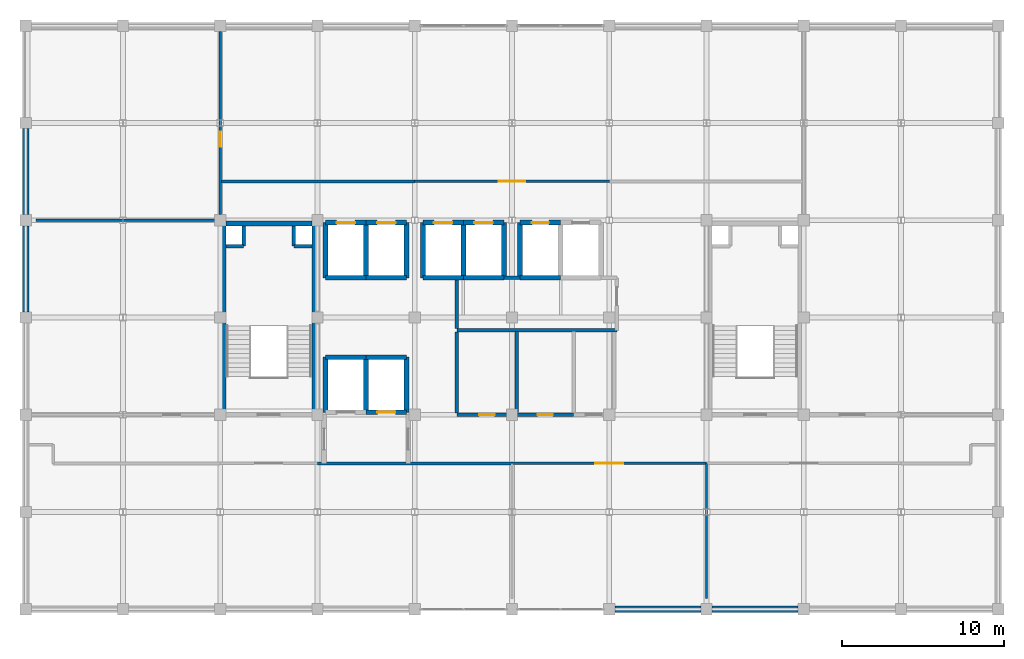
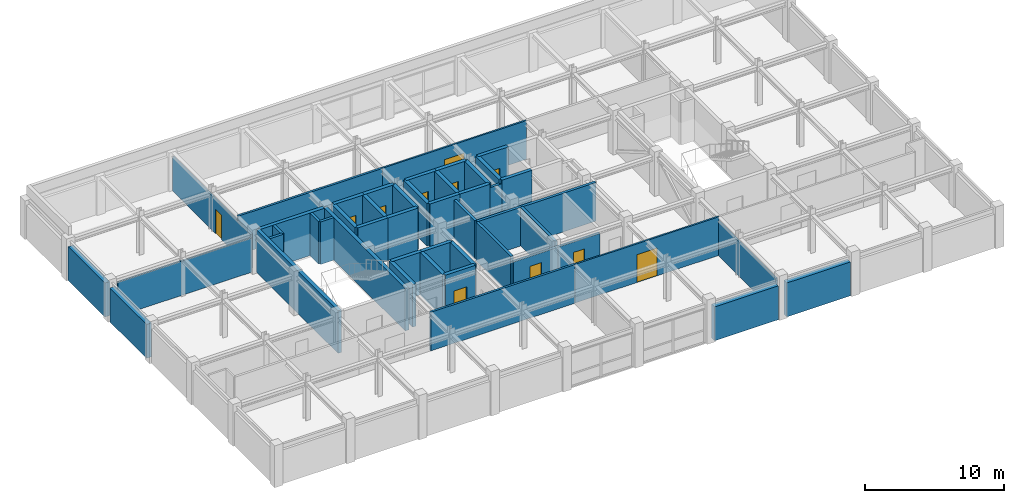
# One storey, part 10 of 12: 48 walls, 11 doors, 11 openings.
"""IFC4 building model written with IfcOpenShell, lengths in metres."""

from ifc_helpers import new_model, si_unit, direction, frame, frame_2d, origin, place, context, subcontext, project, spatial, rectangle, extrude, material, layer, layer_set, type_object, element, fill, save


model = new_model("IFC4")

# Units and contexts
model_context = context("Model", 3, precision=1e-05, world=origin(), true_north=direction((0.0, 1.0)))
body_context = subcontext(model_context, "Body", "Model", "MODEL_VIEW")
ifc_project = project(units=[si_unit("LENGTHUNIT", "METRE"), si_unit("AREAUNIT", "SQUARE_METRE"), si_unit("VOLUMEUNIT", "CUBIC_METRE"), si_unit("PLANEANGLEUNIT", "RADIAN"), si_unit("MASSUNIT", "GRAM", prefix="KILO")], contexts=[model_context])

# Site, building, storey
site_placement = place(None, origin())
site = spatial("IfcSite", under=ifc_project, at=site_placement, CompositionType="ELEMENT")
building_placement = place(site_placement, origin())
building = spatial("IfcBuilding", under=site, at=building_placement, Name="Zlatovratsky Civic Hall", CompositionType="ELEMENT")
storey_placement = place(building_placement, frame((0.0, 0.0, 32.699951171875)))
storey = spatial("IfcBuildingStorey", under=building, at=storey_placement, Name="L08", CompositionType="ELEMENT", Elevation=32.699951171875)

# Walls
ifc_material_1 = material(Name="Acoustic ceramic blockwork", Category="masonry")
ifc_layer_1 = layer(ifc_material_1, 0.179931640625)
ifc_layer_set_1 = layer_set([ifc_layer_1], Name="Acoustic ceramic blockwork")
wall_type_1 = type_object("IfcWallType", Name="Wall_AcousticChamberPartition_180", PredefinedType="PARTITIONING", material=ifc_layer_set_1)
for number, where, z_axis, x_axis, name in (
    (1, (72.0, 81.0, 0.0), (0.0, 0.0, 1.0), (1.0, 0.0, 0.0), "WL-6426"),
    (2, (66.0, 98.39990234375, 0.0), (0.0, 0.0, 1.0), (1.0, 0.0, 0.0), "WL-6432"),
):
    element("IfcWall", number, at=place(storey_placement, frame(where, z_axis=z_axis, x_axis=x_axis)), inside=storey, type_object=wall_type_1, Name=name, PredefinedType="PARTITIONING", context=body_context, shape_type="SweptSolid", body=[
        extrude(rectangle(XDim=12.0, YDim=0.179931640625, at=frame_2d((6.0, 0.0))), origin(), (0.0, 0.0, 1.0), 3.400146484375),
    ])

# Wall, opening, door
ifc_material_2 = material(Name="Fire-rated gypsum board framing", Category="gypsum")
ifc_layer_2 = layer(ifc_material_2, 0.139892578125)
ifc_layer_set_2 = layer_set([ifc_layer_2], Name="Fire-rated gypsum board framing")
wall_type_2 = type_object("IfcWallType", Name="Wall_OfficePartition_140", PredefinedType="PARTITIONING", material=ifc_layer_set_2)
wall_1_placement = place(storey_placement, frame((66.0, 96.35009765625, 0.0), z_axis=(0.0, 0.0, 1.0), x_axis=(0.0, 1.0, 0.0)))
wall_1 = element("IfcWall", 3, at=wall_1_placement, inside=storey, type_object=wall_type_2, Name="WL-6410", PredefinedType="PARTITIONING", context=body_context, shape_type="SweptSolid", body=[
    extrude(rectangle(XDim=11.2998046875, YDim=0.139892578125, at=frame_2d((5.64990234375, 0.0))), origin(), (0.0, 0.0, 1.0), 3.011962890625),
])
opening_1_placement = place(wall_1_placement, frame((4.18994140625, 0.0, 0.0)))
opening_1 = element("IfcOpeningElement", 4, at=opening_1_placement, cuts=wall_1, Name="Opening D-23", PredefinedType="OPENING", context=body_context, shape_type="SweptSolid", body=[
    extrude(rectangle(XDim=0.919921875, YDim=2.14990234375, at=frame_2d((0.4599609375, 1.074951171875))), frame((0.0, 0.0849609375, 0.0), z_axis=(0.0, -1.0, 0.0), x_axis=(1.0, 0.0, 0.0)), (0.0, 0.0, 1.0), 0.169677734375),
])
ifc_material_3 = material(Name="Solid oak joinery in steel frame", Category="steel")
door_type_1 = type_object("IfcDoorType", Name="Door_OfficeStandard_920x2150", OperationType="NOTDEFINED", PredefinedType="DOOR", material=ifc_material_3)
door_1_placement = place(opening_1_placement, origin())
door_1 = element("IfcDoor", 5, at=door_1_placement, inside=storey, type_object=door_type_1, Name="DR-5407", OperationType="SINGLE_SWING_LEFT", OverallHeight=2.14990234375, OverallWidth=0.919921875, PredefinedType="DOOR", context=body_context, shape_type="SweptSolid", body=[
    extrude(rectangle(XDim=0.919921875, YDim=2.14990234375, at=frame_2d((0.4599609375, 1.074951171875))), frame((0.0, 0.02490234375, 0.0), z_axis=(0.0, -1.0, 0.0), x_axis=(1.0, 0.0, 0.0)), (0.0, 0.0, 1.0), 0.050048828125),
])
fill(opening_1, door_1)

wall_2_placement = place(storey_placement, frame((84.0, 81.0, 0.0), z_axis=(0.0, 0.0, 1.0), x_axis=(1.0, 0.0, 0.0)))
wall_2 = element("IfcWall", 6, at=wall_2_placement, inside=storey, type_object=wall_type_2, Name="WL-6412", PredefinedType="PARTITIONING", context=body_context, shape_type="SweptSolid", body=[
    extrude(rectangle(XDim=12.0, YDim=0.139892578125, at=frame_2d((6.0, 0.0))), origin(), (0.0, 0.0, 1.0), 3.400146484375),
])
opening_2_placement = place(wall_2_placement, frame((5.14990234375, 0.0, 0.0)))
opening_2 = element("IfcOpeningElement", 7, at=opening_2_placement, cuts=wall_2, Name="Opening D-26", PredefinedType="OPENING", context=body_context, shape_type="SweptSolid", body=[
    extrude(rectangle(XDim=1.699951171875, YDim=2.449951171875, at=frame_2d((0.85009765625, 1.22509765625))), frame((0.0, 0.0849609375, 0.0), z_axis=(0.0, -1.0, 0.0), x_axis=(1.0, 0.0, 0.0)), (0.0, 0.0, 1.0), 0.169677734375),
])
door_type_2 = type_object("IfcDoorType", Name="Door_CommissionBoardroom_1700x2450", OperationType="DOUBLE_DOOR_SINGLE_SWING", PredefinedType="DOOR", material=ifc_material_3)
door_2_placement = place(opening_2_placement, origin())
door_2 = element("IfcDoor", 8, at=door_2_placement, inside=storey, type_object=door_type_2, Name="DR-5409", OperationType="DOUBLE_DOOR_SINGLE_SWING", OverallHeight=2.449951171875, OverallWidth=1.699951171875, PredefinedType="DOOR", context=body_context, shape_type="SweptSolid", body=[
    extrude(rectangle(XDim=1.699951171875, YDim=2.449951171875, at=frame_2d((0.85009765625, 1.22509765625))), frame((0.0, 0.02490234375, 0.0), z_axis=(0.0, -1.0, 0.0), x_axis=(1.0, 0.0, 0.0)), (0.0, 0.0, 1.0), 0.050048828125),
])
fill(opening_2, door_2)

wall_3_placement = place(storey_placement, frame((78.0, 98.39990234375, 0.0), z_axis=(0.0, 0.0, 1.0), x_axis=(1.0, 0.0, 0.0)))
wall_3 = element("IfcWall", 9, at=wall_3_placement, inside=storey, type_object=wall_type_2, Name="WL-6415", PredefinedType="PARTITIONING", context=body_context, shape_type="SweptSolid", body=[
    extrude(rectangle(XDim=12.0, YDim=0.139892578125, at=frame_2d((6.0, 0.0))), origin(), (0.0, 0.0, 1.0), 3.400146484375),
])
opening_3_placement = place(wall_3_placement, frame((5.175048828125, 0.0, 0.0)))
opening_3 = element("IfcOpeningElement", 10, at=opening_3_placement, cuts=wall_3, Name="Opening D-25", PredefinedType="OPENING", context=body_context, shape_type="SweptSolid", body=[
    extrude(rectangle(XDim=1.64990234375, YDim=2.35009765625, at=frame_2d((0.824951171875, 1.175048828125))), frame((0.0, 0.0849609375, 0.0), z_axis=(0.0, -1.0, 0.0), x_axis=(1.0, 0.0, 0.0)), (0.0, 0.0, 1.0), 0.169677734375),
])
door_type_3 = type_object("IfcDoorType", Name="Door_OpenStudioDouble_1650x2350", OperationType="DOUBLE_DOOR_SINGLE_SWING", PredefinedType="DOOR", material=ifc_material_3)
door_3_placement = place(opening_3_placement, origin())
door_3 = element("IfcDoor", 11, at=door_3_placement, inside=storey, type_object=door_type_3, Name="DR-5412", OperationType="DOUBLE_DOOR_SINGLE_SWING", OverallHeight=2.35009765625, OverallWidth=1.64990234375, PredefinedType="DOOR", context=body_context, shape_type="SweptSolid", body=[
    extrude(rectangle(XDim=1.64990234375, YDim=2.35009765625, at=frame_2d((0.824951171875, 1.175048828125))), frame((0.0, 0.02490234375, 0.0), z_axis=(0.0, -1.0, 0.0), x_axis=(1.0, 0.0, 0.0)), (0.0, 0.0, 1.0), 0.050048828125),
])
fill(opening_3, door_3)

# Walls
wall_4_placement = place(storey_placement, frame((96.0, 72.64990234375, 0.0), z_axis=(0.0, 0.0, 1.0), x_axis=(0.0, 1.0, 0.0)))
element("IfcWall", 12, at=wall_4_placement, inside=storey, type_object=wall_type_2, Name="WL-6418", PredefinedType="PARTITIONING", context=body_context, shape_type="SweptSolid", body=[
    extrude(rectangle(XDim=8.35009765625, YDim=0.139892578125, at=frame_2d((4.175048828125, 0.0))), origin(), (0.0, 0.0, 1.0), 3.011962890625),
])
wall_5_placement = place(storey_placement, frame((54.64990234375, 96.0, 0.0), z_axis=(0.0, 0.0, 1.0), x_axis=(1.0, 0.0, 0.0)))
element("IfcWall", 13, at=wall_5_placement, inside=storey, type_object=wall_type_2, Name="WL-6419", PredefinedType="PARTITIONING", context=body_context, shape_type="SweptSolid", body=[
    extrude(rectangle(XDim=11.150146484375, YDim=0.139892578125, at=frame_2d((5.5751953125, 0.0))), origin(), (0.0, 0.0, 1.0), 3.011962890625),
])
ifc_layer_3 = layer(ifc_material_1, 0.219970703125)
ifc_layer_set_3 = layer_set([ifc_layer_3], Name="Acoustic ceramic blockwork")
wall_type_3 = type_object("IfcWallType", Name="Wall_SanitaryWetCore_220", PredefinedType="PARTITIONING", material=ifc_layer_set_3)
wall_6_placement = place(storey_placement, frame((67.449951171875, 94.39990234375, 0.0), z_axis=(0.0, 0.0, 1.0), x_axis=(0.0, 1.0, 0.0)))
element("IfcWall", 14, at=wall_6_placement, inside=storey, type_object=wall_type_3, Name="WL-5069", PredefinedType="PARTITIONING", context=body_context, shape_type="SweptSolid", body=[
    extrude(rectangle(XDim=1.25, YDim=0.219970703125, at=frame_2d((0.625, 0.0))), origin(), (0.0, 0.0, 1.0), 3.739990234375),
])
wall_7_placement = place(storey_placement, frame((66.35009765625, 94.39990234375, 0.0), z_axis=(0.0, 0.0, 1.0), x_axis=(1.0, 0.0, 0.0)))
element("IfcWall", 15, at=wall_7_placement, inside=storey, type_object=wall_type_3, Name="WL-5070", PredefinedType="PARTITIONING", context=body_context, shape_type="SweptSolid", body=[
    extrude(rectangle(XDim=1.099853515625, YDim=0.219970703125, at=frame_2d((0.5498046875, 0.0))), origin(), (0.0, 0.0, 1.0), 3.739990234375),
])
wall_8_placement = place(storey_placement, frame((70.550048828125, 94.39990234375, 0.0), z_axis=(0.0, 0.0, 1.0), x_axis=(0.0, 1.0, 0.0)))
element("IfcWall", 16, at=wall_8_placement, inside=storey, type_object=wall_type_3, Name="WL-5071", PredefinedType="PARTITIONING", context=body_context, shape_type="SweptSolid", body=[
    extrude(rectangle(XDim=1.25, YDim=0.219970703125, at=frame_2d((0.625, 0.0))), origin(), (0.0, 0.0, 1.0), 3.739990234375),
])
wall_9_placement = place(storey_placement, frame((70.550048828125, 94.39990234375, 0.0), z_axis=(0.0, 0.0, 1.0), x_axis=(1.0, 0.0, 0.0)))
element("IfcWall", 17, at=wall_9_placement, inside=storey, type_object=wall_type_3, Name="WL-5072", PredefinedType="PARTITIONING", context=body_context, shape_type="SweptSolid", body=[
    extrude(rectangle(XDim=1.099853515625, YDim=0.219970703125, at=frame_2d((0.5498046875, 0.0))), origin(), (0.0, 0.0, 1.0), 3.739990234375),
])

# Wall, opening, door
wall_10_placement = place(storey_placement, frame((80.60009765625, 84.0, 0.0), z_axis=(0.0, 0.0, 1.0), x_axis=(1.0, 0.0, 0.0)))
wall_10 = element("IfcWall", 18, at=wall_10_placement, inside=storey, type_object=wall_type_3, Name="WL-6403", PredefinedType="PARTITIONING", context=body_context, shape_type="SweptSolid", body=[
    extrude(rectangle(XDim=3.699951171875, YDim=0.219970703125, at=frame_2d((1.85009765625, 0.0))), origin(), (0.0, 0.0, 1.0), 3.011962890625),
])
opening_4_placement = place(wall_10_placement, frame((1.375, 0.0, 0.0)))
opening_4 = element("IfcOpeningElement", 19, at=opening_4_placement, cuts=wall_10, Name="Opening D-21", PredefinedType="OPENING", context=body_context, shape_type="SweptSolid", body=[
    extrude(rectangle(XDim=0.949951171875, YDim=2.14990234375, at=frame_2d((0.47509765625, 1.074951171875))), frame((0.0, 0.125, 0.0), z_axis=(0.0, -1.0, 0.0), x_axis=(1.0, 0.0, 0.0)), (0.0, 0.0, 1.0), 0.249755859375),
])
door_type_4 = type_object("IfcDoorType", Name="Door_MensWC_950x2150", OperationType="NOTDEFINED", PredefinedType="DOOR", material=ifc_material_3)
door_4_placement = place(opening_4_placement, origin())
door_4 = element("IfcDoor", 20, at=door_4_placement, inside=storey, type_object=door_type_4, Name="DR-5403", OperationType="SINGLE_SWING_LEFT", OverallHeight=2.14990234375, OverallWidth=0.949951171875, PredefinedType="DOOR", context=body_context, shape_type="SweptSolid", body=[
    extrude(rectangle(XDim=0.949951171875, YDim=2.14990234375, at=frame_2d((0.47509765625, 1.074951171875))), frame((0.0, 0.02490234375, 0.0), z_axis=(0.0, -1.0, 0.0), x_axis=(1.0, 0.0, 0.0)), (0.0, 0.0, 1.0), 0.050048828125),
])
fill(opening_4, door_4)

wall_11_placement = place(storey_placement, frame((84.300048828125, 84.0, 0.0), z_axis=(0.0, 0.0, 1.0), x_axis=(1.0, 0.0, 0.0)))
wall_11 = element("IfcWall", 21, at=wall_11_placement, inside=storey, type_object=wall_type_3, Name="WL-6404", PredefinedType="PARTITIONING", context=body_context, shape_type="SweptSolid", body=[
    extrude(rectangle(XDim=3.5, YDim=0.219970703125, at=frame_2d((1.75, 0.0))), origin(), (0.0, 0.0, 1.0), 3.011962890625),
])
opening_5_placement = place(wall_11_placement, frame((1.27490234375, 0.0, 0.0)))
opening_5 = element("IfcOpeningElement", 22, at=opening_5_placement, cuts=wall_11, Name="Opening D-22", PredefinedType="OPENING", context=body_context, shape_type="SweptSolid", body=[
    extrude(rectangle(XDim=0.949951171875, YDim=2.10009765625, at=frame_2d((0.47509765625, 1.050048828125))), frame((0.0, 0.125, 0.0), z_axis=(0.0, -1.0, 0.0), x_axis=(1.0, 0.0, 0.0)), (0.0, 0.0, 1.0), 0.249755859375),
])
door_type_5 = type_object("IfcDoorType", Name="Door_WomensWC_950x2100", OperationType="NOTDEFINED", PredefinedType="DOOR", material=ifc_material_3)
door_5_placement = place(opening_5_placement, origin())
door_5 = element("IfcDoor", 23, at=door_5_placement, inside=storey, type_object=door_type_5, Name="DR-5404", OperationType="SINGLE_SWING_RIGHT", OverallHeight=2.10009765625, OverallWidth=0.949951171875, PredefinedType="DOOR", context=body_context, shape_type="SweptSolid", body=[
    extrude(rectangle(XDim=0.949951171875, YDim=2.10009765625, at=frame_2d((0.47509765625, 1.050048828125))), frame((0.0, 0.02490234375, 0.0), z_axis=(0.0, -1.0, 0.0), x_axis=(1.0, 0.0, 0.0)), (0.0, 0.0, 1.0), 0.050048828125),
])
fill(opening_5, door_5)

# Walls
wall_12_placement = place(storey_placement, frame((84.300048828125, 84.14990234375, 0.0), z_axis=(0.0, 0.0, 1.0), x_axis=(0.0, 1.0, 0.0)))
element("IfcWall", 24, at=wall_12_placement, inside=storey, type_object=wall_type_3, Name="WL-6406", PredefinedType="PARTITIONING", context=body_context, shape_type="SweptSolid", body=[
    extrude(rectangle(XDim=5.0, YDim=0.219970703125, at=frame_2d((2.5, 0.0))), origin(), (0.0, 0.0, 1.0), 3.400146484375),
])
wall_13_placement = place(storey_placement, frame((80.60009765625, 89.199951171875, 0.0), z_axis=(0.0, 0.0, 1.0), x_axis=(1.0, 0.0, 0.0)))
element("IfcWall", 25, at=wall_13_placement, inside=storey, type_object=wall_type_3, Name="WL-6408", PredefinedType="PARTITIONING", context=body_context, shape_type="SweptSolid", body=[
    extrude(rectangle(XDim=9.869873046875, YDim=0.219970703125, at=frame_2d((4.93505859375, 0.0))), origin(), (0.0, 0.0, 1.0), 3.400146484375),
])
wall_14_placement = place(storey_placement, frame((80.60009765625, 84.110107421875, 0.0), z_axis=(0.0, 0.0, 1.0), x_axis=(0.0, 1.0, 0.0)))
element("IfcWall", 26, at=wall_14_placement, inside=storey, type_object=wall_type_3, Name="WL-6420", PredefinedType="PARTITIONING", context=body_context, shape_type="SweptSolid", body=[
    extrude(rectangle(XDim=4.97998046875, YDim=0.219970703125, at=frame_2d((2.489990234375, 0.0))), origin(), (0.0, 0.0, 1.0), 3.400146484375),
])
wall_15_placement = place(storey_placement, frame((80.60009765625, 89.31005859375, 0.0), z_axis=(0.0, 0.0, 1.0), x_axis=(0.0, 1.0, 0.0)))
element("IfcWall", 27, at=wall_15_placement, inside=storey, type_object=wall_type_3, Name="WL-6422", PredefinedType="PARTITIONING", context=body_context, shape_type="SweptSolid", body=[
    extrude(rectangle(XDim=2.989990234375, YDim=0.219970703125, at=frame_2d((1.4951171875, 0.0))), origin(), (0.0, 0.0, 1.0), 3.400146484375),
])
wall_16_placement = place(storey_placement, frame((83.5, 92.449951171875, 0.0), z_axis=(0.0, 0.0, 1.0), x_axis=(1.0, 0.0, 0.0)))
element("IfcWall", 28, at=wall_16_placement, inside=storey, type_object=wall_type_3, Name="WL-6423", PredefinedType="PARTITIONING", context=body_context, shape_type="SweptSolid", body=[
    extrude(rectangle(XDim=1.0, YDim=0.219970703125, at=frame_2d((0.5, 0.0))), origin(), (0.0, 0.0, 1.0), 3.400146484375),
])
ifc_material_4 = material(Name="Concrete C35/45 (B40)", Category="concrete")
ifc_layer_4 = layer(ifc_material_4, 0.300048828125)
ifc_layer_set_4 = layer_set([ifc_layer_4], Name="Concrete C35/45 (B40)")
wall_type_4 = type_object("IfcWallType", Name="Wall_StairAndLiftShaft_300", PredefinedType="SHEAR", material=ifc_layer_set_4)
wall_17_placement = place(storey_placement, frame((66.35009765625, 95.800048828125, 0.0), z_axis=(0.0, 0.0, 1.0), x_axis=(1.0, 0.0, 0.0)))
element("IfcWall", 29, at=wall_17_placement, inside=storey, type_object=wall_type_4, Name="WL-5066", PredefinedType="SHEAR", context=body_context, shape_type="SweptSolid", body=[
    extrude(rectangle(XDim=5.2998046875, YDim=0.300048828125, at=frame_2d((2.64990234375, 0.0))), origin(), (0.0, 0.0, 1.0), 3.739990234375),
])
for number, where, z_axis, x_axis, name in (
    (30, (66.199951171875, 84.0, 0.0), (0.0, 0.0, 1.0), (0.0, 1.0, 0.0), "WL-5067"),
    (31, (71.800048828125, 84.0, 0.0), (0.0, 0.0, 1.0), (0.0, 1.0, 0.0), "WL-5068"),
):
    element("IfcWall", number, at=place(storey_placement, frame(where, z_axis=z_axis, x_axis=x_axis)), inside=storey, type_object=wall_type_4, Name=name, PredefinedType="SHEAR", context=body_context, shape_type="SweptSolid", body=[
        extrude(rectangle(XDim=11.800048828125, YDim=0.300048828125, at=frame_2d((5.89990234375, 0.0))), origin(), (0.0, 0.0, 1.0), 3.739990234375),
    ])
wall_18_placement = place(storey_placement, frame((72.5, 87.550048828125, 0.0), z_axis=(0.0, 0.0, 1.0), x_axis=(1.0, 0.0, 0.0)))
element("IfcWall", 32, at=wall_18_placement, inside=storey, type_object=wall_type_4, Name="WL-5518", PredefinedType="SHEAR", context=body_context, shape_type="SweptSolid", body=[
    extrude(rectangle(XDim=2.5, YDim=0.300048828125, at=frame_2d((1.25, 0.0))), origin(), (0.0, 0.0, 1.0), 3.739990234375),
])
wall_19_placement = place(storey_placement, frame((72.5, 84.14990234375, 0.0), z_axis=(0.0, 0.0, 1.0), x_axis=(0.0, 1.0, 0.0)))
element("IfcWall", 33, at=wall_19_placement, inside=storey, type_object=wall_type_4, Name="WL-5519", PredefinedType="SHEAR", context=body_context, shape_type="SweptSolid", body=[
    extrude(rectangle(XDim=3.400146484375, YDim=0.300048828125, at=frame_2d((1.7001953125, 0.0))), origin(), (0.0, 0.0, 1.0), 3.739990234375),
])

# Wall, opening, door
wall_20_placement = place(storey_placement, frame((75.0, 84.14990234375, 0.0), z_axis=(0.0, 0.0, 1.0), x_axis=(1.0, 0.0, 0.0)))
wall_20 = element("IfcWall", 34, at=wall_20_placement, inside=storey, type_object=wall_type_4, Name="WL-5582", PredefinedType="SHEAR", context=body_context, shape_type="SweptSolid", body=[
    extrude(rectangle(XDim=2.5, YDim=0.300048828125, at=frame_2d((1.25, 0.0))), origin(), (0.0, 0.0, 1.0), 3.739990234375),
])
opening_6_placement = place(wall_20_placement, frame((0.699951171875, 0.0, 0.0)))
opening_6 = element("IfcOpeningElement", 35, at=opening_6_placement, cuts=wall_20, Name="Opening LD-01", PredefinedType="OPENING", context=body_context, shape_type="SweptSolid", body=[
    extrude(rectangle(XDim=1.10009765625, YDim=2.10009765625, at=frame_2d((0.550048828125, 1.050048828125))), frame((0.0, 0.1650390625, 0.0), z_axis=(0.0, -1.0, 0.0), x_axis=(1.0, 0.0, 0.0)), (0.0, 0.0, 1.0), 0.329833984375),
])
ifc_material_5 = material(Name="Brushed stainless steel AISI 304", Category="steel")
door_type_6 = type_object("IfcDoorType", Name="Door_LiftLandingFire_1100x2100", OperationType="DOUBLE_DOOR_SLIDING", PredefinedType="DOOR", material=ifc_material_5)
door_6_placement = place(opening_6_placement, origin())
door_6 = element("IfcDoor", 36, at=door_6_placement, inside=storey, type_object=door_type_6, Name="Lift landing door LD-5086", OperationType="DOUBLE_DOOR_SLIDING", OverallHeight=2.10009765625, OverallWidth=1.10009765625, PredefinedType="DOOR", context=body_context, shape_type="SweptSolid", body=[
    extrude(rectangle(XDim=1.10009765625, YDim=2.10009765625, at=frame_2d((0.550048828125, 1.050048828125))), frame((0.0, 0.02490234375, 0.0), z_axis=(0.0, -1.0, 0.0), x_axis=(1.0, 0.0, 0.0)), (0.0, 0.0, 1.0), 0.050048828125),
])
fill(opening_6, door_6)

# Walls
wall_21_placement = place(storey_placement, frame((75.0, 87.550048828125, 0.0), z_axis=(0.0, 0.0, 1.0), x_axis=(1.0, 0.0, 0.0)))
element("IfcWall", 37, at=wall_21_placement, inside=storey, type_object=wall_type_4, Name="WL-5583", PredefinedType="SHEAR", context=body_context, shape_type="SweptSolid", body=[
    extrude(rectangle(XDim=2.5, YDim=0.300048828125, at=frame_2d((1.25, 0.0))), origin(), (0.0, 0.0, 1.0), 3.739990234375),
])
for number, where, z_axis, x_axis, name in (
    (38, (75.0, 84.14990234375, 0.0), (0.0, 0.0, 1.0), (0.0, 1.0, 0.0), "WL-5584"),
    (39, (77.5, 84.14990234375, 0.0), (0.0, 0.0, 1.0), (0.0, 1.0, 0.0), "WL-5585"),
):
    element("IfcWall", number, at=place(storey_placement, frame(where, z_axis=z_axis, x_axis=x_axis)), inside=storey, type_object=wall_type_4, Name=name, PredefinedType="SHEAR", context=body_context, shape_type="SweptSolid", body=[
        extrude(rectangle(XDim=3.400146484375, YDim=0.300048828125, at=frame_2d((1.7001953125, 0.0))), origin(), (0.0, 0.0, 1.0), 3.739990234375),
    ])

# Wall, opening, door
wall_22_placement = place(storey_placement, frame((72.5, 95.85009765625, 0.0), z_axis=(0.0, 0.0, 1.0), x_axis=(1.0, 0.0, 0.0)))
wall_22 = element("IfcWall", 40, at=wall_22_placement, inside=storey, type_object=wall_type_4, Name="WL-5650", PredefinedType="SHEAR", context=body_context, shape_type="SweptSolid", body=[
    extrude(rectangle(XDim=2.5, YDim=0.300048828125, at=frame_2d((1.25, 0.0))), origin(), (0.0, 0.0, 1.0), 3.739990234375),
])
opening_7_placement = place(wall_22_placement, frame((0.675048828125, 0.0, 0.0)))
opening_7 = element("IfcOpeningElement", 41, at=opening_7_placement, cuts=wall_22, Name="Opening LD-02", PredefinedType="OPENING", context=body_context, shape_type="SweptSolid", body=[
    extrude(rectangle(XDim=1.14990234375, YDim=2.14990234375, at=frame_2d((0.574951171875, 1.074951171875))), frame((0.0, 0.1650390625, 0.0), z_axis=(0.0, -1.0, 0.0), x_axis=(1.0, 0.0, 0.0)), (0.0, 0.0, 1.0), 0.329833984375),
])
door_type_7 = type_object("IfcDoorType", Name="Door_LiftLandingHighRise_1150x2150", OperationType="DOUBLE_DOOR_SLIDING", PredefinedType="DOOR", material=ifc_material_5)
door_7_placement = place(opening_7_placement, origin())
door_7 = element("IfcDoor", 42, at=door_7_placement, inside=storey, type_object=door_type_7, Name="Lift landing door LD-5105", OperationType="DOUBLE_DOOR_SLIDING", OverallHeight=2.14990234375, OverallWidth=1.14990234375, PredefinedType="DOOR", context=body_context, shape_type="SweptSolid", body=[
    extrude(rectangle(XDim=1.14990234375, YDim=2.14990234375, at=frame_2d((0.574951171875, 1.074951171875))), frame((0.0, 0.02490234375, 0.0), z_axis=(0.0, -1.0, 0.0), x_axis=(1.0, 0.0, 0.0)), (0.0, 0.0, 1.0), 0.050048828125),
])
fill(opening_7, door_7)

# Walls
wall_23_placement = place(storey_placement, frame((72.5, 92.449951171875, 0.0), z_axis=(0.0, 0.0, 1.0), x_axis=(1.0, 0.0, 0.0)))
element("IfcWall", 43, at=wall_23_placement, inside=storey, type_object=wall_type_4, Name="WL-5651", PredefinedType="SHEAR", context=body_context, shape_type="SweptSolid", body=[
    extrude(rectangle(XDim=2.5, YDim=0.300048828125, at=frame_2d((1.25, 0.0))), origin(), (0.0, 0.0, 1.0), 3.739990234375),
])
wall_24_placement = place(storey_placement, frame((72.5, 92.449951171875, 0.0), z_axis=(0.0, 0.0, 1.0), x_axis=(0.0, 1.0, 0.0)))
element("IfcWall", 44, at=wall_24_placement, inside=storey, type_object=wall_type_4, Name="WL-5652", PredefinedType="SHEAR", context=body_context, shape_type="SweptSolid", body=[
    extrude(rectangle(XDim=3.400146484375, YDim=0.300048828125, at=frame_2d((1.7001953125, 0.0))), origin(), (0.0, 0.0, 1.0), 3.739990234375),
])

# Wall, opening, door
wall_25_placement = place(storey_placement, frame((75.0, 95.85009765625, 0.0), z_axis=(0.0, 0.0, 1.0), x_axis=(1.0, 0.0, 0.0)))
wall_25 = element("IfcWall", 45, at=wall_25_placement, inside=storey, type_object=wall_type_4, Name="WL-5715", PredefinedType="SHEAR", context=body_context, shape_type="SweptSolid", body=[
    extrude(rectangle(XDim=2.5, YDim=0.300048828125, at=frame_2d((1.25, 0.0))), origin(), (0.0, 0.0, 1.0), 3.739990234375),
])
opening_8_placement = place(wall_25_placement, frame((0.675048828125, 0.0, 0.0)))
opening_8 = element("IfcOpeningElement", 46, at=opening_8_placement, cuts=wall_25, Name="Opening LD-02", PredefinedType="OPENING", context=body_context, shape_type="SweptSolid", body=[
    extrude(rectangle(XDim=1.14990234375, YDim=2.14990234375, at=frame_2d((0.574951171875, 1.074951171875))), frame((0.0, 0.1650390625, 0.0), z_axis=(0.0, -1.0, 0.0), x_axis=(1.0, 0.0, 0.0)), (0.0, 0.0, 1.0), 0.329833984375),
])
door_8_placement = place(opening_8_placement, origin())
door_8 = element("IfcDoor", 47, at=door_8_placement, inside=storey, type_object=door_type_7, Name="Lift landing door LD-5124", OperationType="DOUBLE_DOOR_SLIDING", OverallHeight=2.14990234375, OverallWidth=1.14990234375, PredefinedType="DOOR", context=body_context, shape_type="SweptSolid", body=[
    extrude(rectangle(XDim=1.14990234375, YDim=2.14990234375, at=frame_2d((0.574951171875, 1.074951171875))), frame((0.0, 0.02490234375, 0.0), z_axis=(0.0, -1.0, 0.0), x_axis=(1.0, 0.0, 0.0)), (0.0, 0.0, 1.0), 0.050048828125),
])
fill(opening_8, door_8)

# Walls
wall_26_placement = place(storey_placement, frame((75.0, 92.449951171875, 0.0), z_axis=(0.0, 0.0, 1.0), x_axis=(1.0, 0.0, 0.0)))
element("IfcWall", 48, at=wall_26_placement, inside=storey, type_object=wall_type_4, Name="WL-5716", PredefinedType="SHEAR", context=body_context, shape_type="SweptSolid", body=[
    extrude(rectangle(XDim=2.5, YDim=0.300048828125, at=frame_2d((1.25, 0.0))), origin(), (0.0, 0.0, 1.0), 3.739990234375),
])
for number, where, z_axis, x_axis, name in (
    (49, (75.0, 92.449951171875, 0.0), (0.0, 0.0, 1.0), (0.0, 1.0, 0.0), "WL-5717"),
    (50, (77.5, 92.449951171875, 0.0), (0.0, 0.0, 1.0), (0.0, 1.0, 0.0), "WL-5718"),
):
    element("IfcWall", number, at=place(storey_placement, frame(where, z_axis=z_axis, x_axis=x_axis)), inside=storey, type_object=wall_type_4, Name=name, PredefinedType="SHEAR", context=body_context, shape_type="SweptSolid", body=[
        extrude(rectangle(XDim=3.400146484375, YDim=0.300048828125, at=frame_2d((1.7001953125, 0.0))), origin(), (0.0, 0.0, 1.0), 3.739990234375),
    ])

# Wall, opening, door
wall_27_placement = place(storey_placement, frame((78.5, 95.85009765625, 0.0), z_axis=(0.0, 0.0, 1.0), x_axis=(1.0, 0.0, 0.0)))
wall_27 = element("IfcWall", 51, at=wall_27_placement, inside=storey, type_object=wall_type_4, Name="WL-5783", PredefinedType="SHEAR", context=body_context, shape_type="SweptSolid", body=[
    extrude(rectangle(XDim=2.5, YDim=0.300048828125, at=frame_2d((1.25, 0.0))), origin(), (0.0, 0.0, 1.0), 3.739990234375),
])
opening_9_placement = place(wall_27_placement, frame((0.675048828125, 0.0, 0.0)))
opening_9 = element("IfcOpeningElement", 52, at=opening_9_placement, cuts=wall_27, Name="Opening LD-02", PredefinedType="OPENING", context=body_context, shape_type="SweptSolid", body=[
    extrude(rectangle(XDim=1.14990234375, YDim=2.14990234375, at=frame_2d((0.574951171875, 1.074951171875))), frame((0.0, 0.1650390625, 0.0), z_axis=(0.0, -1.0, 0.0), x_axis=(1.0, 0.0, 0.0)), (0.0, 0.0, 1.0), 0.329833984375),
])
door_9_placement = place(opening_9_placement, origin())
door_9 = element("IfcDoor", 53, at=door_9_placement, inside=storey, type_object=door_type_7, Name="Lift landing door LD-5143", OperationType="DOUBLE_DOOR_SLIDING", OverallHeight=2.14990234375, OverallWidth=1.14990234375, PredefinedType="DOOR", context=body_context, shape_type="SweptSolid", body=[
    extrude(rectangle(XDim=1.14990234375, YDim=2.14990234375, at=frame_2d((0.574951171875, 1.074951171875))), frame((0.0, 0.02490234375, 0.0), z_axis=(0.0, -1.0, 0.0), x_axis=(1.0, 0.0, 0.0)), (0.0, 0.0, 1.0), 0.050048828125),
])
fill(opening_9, door_9)

# Walls
wall_28_placement = place(storey_placement, frame((78.5, 92.449951171875, 0.0), z_axis=(0.0, 0.0, 1.0), x_axis=(1.0, 0.0, 0.0)))
element("IfcWall", 54, at=wall_28_placement, inside=storey, type_object=wall_type_4, Name="WL-5784", PredefinedType="SHEAR", context=body_context, shape_type="SweptSolid", body=[
    extrude(rectangle(XDim=2.5, YDim=0.300048828125, at=frame_2d((1.25, 0.0))), origin(), (0.0, 0.0, 1.0), 3.739990234375),
])
wall_29_placement = place(storey_placement, frame((78.5, 92.449951171875, 0.0), z_axis=(0.0, 0.0, 1.0), x_axis=(0.0, 1.0, 0.0)))
element("IfcWall", 55, at=wall_29_placement, inside=storey, type_object=wall_type_4, Name="WL-5785", PredefinedType="SHEAR", context=body_context, shape_type="SweptSolid", body=[
    extrude(rectangle(XDim=3.400146484375, YDim=0.300048828125, at=frame_2d((1.7001953125, 0.0))), origin(), (0.0, 0.0, 1.0), 3.739990234375),
])

# Wall, opening, door
wall_30_placement = place(storey_placement, frame((81.0, 95.85009765625, 0.0), z_axis=(0.0, 0.0, 1.0), x_axis=(1.0, 0.0, 0.0)))
wall_30 = element("IfcWall", 56, at=wall_30_placement, inside=storey, type_object=wall_type_4, Name="WL-5848", PredefinedType="SHEAR", context=body_context, shape_type="SweptSolid", body=[
    extrude(rectangle(XDim=2.5, YDim=0.300048828125, at=frame_2d((1.25, 0.0))), origin(), (0.0, 0.0, 1.0), 3.739990234375),
])
opening_10_placement = place(wall_30_placement, frame((0.675048828125, 0.0, 0.0)))
opening_10 = element("IfcOpeningElement", 57, at=opening_10_placement, cuts=wall_30, Name="Opening LD-02", PredefinedType="OPENING", context=body_context, shape_type="SweptSolid", body=[
    extrude(rectangle(XDim=1.14990234375, YDim=2.14990234375, at=frame_2d((0.574951171875, 1.074951171875))), frame((0.0, 0.1650390625, 0.0), z_axis=(0.0, -1.0, 0.0), x_axis=(1.0, 0.0, 0.0)), (0.0, 0.0, 1.0), 0.329833984375),
])
door_10_placement = place(opening_10_placement, origin())
door_10 = element("IfcDoor", 58, at=door_10_placement, inside=storey, type_object=door_type_7, Name="Lift landing door LD-5162", OperationType="DOUBLE_DOOR_SLIDING", OverallHeight=2.14990234375, OverallWidth=1.14990234375, PredefinedType="DOOR", context=body_context, shape_type="SweptSolid", body=[
    extrude(rectangle(XDim=1.14990234375, YDim=2.14990234375, at=frame_2d((0.574951171875, 1.074951171875))), frame((0.0, 0.02490234375, 0.0), z_axis=(0.0, -1.0, 0.0), x_axis=(1.0, 0.0, 0.0)), (0.0, 0.0, 1.0), 0.050048828125),
])
fill(opening_10, door_10)

# Walls
wall_31_placement = place(storey_placement, frame((81.0, 92.449951171875, 0.0), z_axis=(0.0, 0.0, 1.0), x_axis=(1.0, 0.0, 0.0)))
element("IfcWall", 59, at=wall_31_placement, inside=storey, type_object=wall_type_4, Name="WL-5849", PredefinedType="SHEAR", context=body_context, shape_type="SweptSolid", body=[
    extrude(rectangle(XDim=2.5, YDim=0.300048828125, at=frame_2d((1.25, 0.0))), origin(), (0.0, 0.0, 1.0), 3.739990234375),
])
for number, where, z_axis, x_axis, name in (
    (60, (81.0, 92.449951171875, 0.0), (0.0, 0.0, 1.0), (0.0, 1.0, 0.0), "WL-5850"),
    (61, (83.5, 92.449951171875, 0.0), (0.0, 0.0, 1.0), (0.0, 1.0, 0.0), "WL-5851"),
):
    element("IfcWall", number, at=place(storey_placement, frame(where, z_axis=z_axis, x_axis=x_axis)), inside=storey, type_object=wall_type_4, Name=name, PredefinedType="SHEAR", context=body_context, shape_type="SweptSolid", body=[
        extrude(rectangle(XDim=3.400146484375, YDim=0.300048828125, at=frame_2d((1.7001953125, 0.0))), origin(), (0.0, 0.0, 1.0), 3.739990234375),
    ])

# Wall, opening, door
wall_32_placement = place(storey_placement, frame((84.5, 95.85009765625, 0.0), z_axis=(0.0, 0.0, 1.0), x_axis=(1.0, 0.0, 0.0)))
wall_32 = element("IfcWall", 62, at=wall_32_placement, inside=storey, type_object=wall_type_4, Name="WL-5916", PredefinedType="SHEAR", context=body_context, shape_type="SweptSolid", body=[
    extrude(rectangle(XDim=2.5, YDim=0.300048828125, at=frame_2d((1.25, 0.0))), origin(), (0.0, 0.0, 1.0), 3.739990234375),
])
opening_11_placement = place(wall_32_placement, frame((0.72509765625, 0.0, 0.0)))
opening_11 = element("IfcOpeningElement", 63, at=opening_11_placement, cuts=wall_32, Name="Opening LD-03", PredefinedType="OPENING", context=body_context, shape_type="SweptSolid", body=[
    extrude(rectangle(XDim=1.050048828125, YDim=2.10009765625, at=frame_2d((0.52490234375, 1.050048828125))), frame((0.0, 0.1650390625, 0.0), z_axis=(0.0, -1.0, 0.0), x_axis=(1.0, 0.0, 0.0)), (0.0, 0.0, 1.0), 0.329833984375),
])
door_type_8 = type_object("IfcDoorType", Name="Door_LiftLandingMidRise_1050x2100", OperationType="DOUBLE_DOOR_SLIDING", PredefinedType="DOOR", material=ifc_material_5)
door_11_placement = place(opening_11_placement, origin())
door_11 = element("IfcDoor", 64, at=door_11_placement, inside=storey, type_object=door_type_8, Name="Lift landing door LD-5181", OperationType="DOUBLE_DOOR_SLIDING", OverallHeight=2.10009765625, OverallWidth=1.050048828125, PredefinedType="DOOR", context=body_context, shape_type="SweptSolid", body=[
    extrude(rectangle(XDim=1.050048828125, YDim=2.10009765625, at=frame_2d((0.52490234375, 1.050048828125))), frame((0.0, 0.02490234375, 0.0), z_axis=(0.0, -1.0, 0.0), x_axis=(1.0, 0.0, 0.0)), (0.0, 0.0, 1.0), 0.050048828125),
])
fill(opening_11, door_11)

# Walls
wall_33_placement = place(storey_placement, frame((84.5, 92.449951171875, 0.0), z_axis=(0.0, 0.0, 1.0), x_axis=(1.0, 0.0, 0.0)))
element("IfcWall", 65, at=wall_33_placement, inside=storey, type_object=wall_type_4, Name="WL-5917", PredefinedType="SHEAR", context=body_context, shape_type="SweptSolid", body=[
    extrude(rectangle(XDim=2.5, YDim=0.300048828125, at=frame_2d((1.25, 0.0))), origin(), (0.0, 0.0, 1.0), 3.739990234375),
])
wall_34_placement = place(storey_placement, frame((84.5, 92.449951171875, 0.0), z_axis=(0.0, 0.0, 1.0), x_axis=(0.0, 1.0, 0.0)))
element("IfcWall", 66, at=wall_34_placement, inside=storey, type_object=wall_type_4, Name="WL-5918", PredefinedType="SHEAR", context=body_context, shape_type="SweptSolid", body=[
    extrude(rectangle(XDim=3.400146484375, YDim=0.300048828125, at=frame_2d((1.7001953125, 0.0))), origin(), (0.0, 0.0, 1.0), 3.739990234375),
])
ifc_layer_5 = layer(ifc_material_1, 0.280029296875, Name="Backing")
ifc_material_6 = material(Name="Podolsk limestone ashlar", Category="masonry")
ifc_layer_6 = layer(ifc_material_6, 0.139892578125, Name="Finish")
ifc_layer_set_5 = layer_set([ifc_layer_5, ifc_layer_6], Name="Acoustic ceramic blockwork")
wall_type_5 = type_object("IfcWallType", Name="Wall_TowerLimestoneAshlar_420", PredefinedType="SOLIDWALL", material=ifc_layer_set_5)
for number, where, z_axis, x_axis, name in (
    (67, (90.35009765625, 72.0, 0.0), (0.0, 0.0, 1.0), (1.0, 0.0, 0.0), "WL-0477"),
    (68, (96.35009765625, 72.0, 0.0), (0.0, 0.0, 1.0), (1.0, 0.0, 0.0), "WL-0478"),
    (69, (54.0, 90.35009765625, 0.0), (0.0, 0.0, 1.0), (0.0, 1.0, 0.0), "WL-0492"),
    (70, (54.0, 96.35009765625, 0.0), (0.0, 0.0, 1.0), (0.0, 1.0, 0.0), "WL-0493"),
):
    element("IfcWall", number, at=place(storey_placement, frame(where, z_axis=z_axis, x_axis=x_axis)), inside=storey, type_object=wall_type_5, Name=name, PredefinedType="SOLIDWALL", context=body_context, shape_type="SweptSolid", body=[
        extrude(rectangle(XDim=5.2998046875, YDim=0.419921875, at=frame_2d((2.64990234375, 0.0))), origin(), (0.0, 0.0, 1.0), 2.97998046875),
    ])

save(model, "model.ifc")
